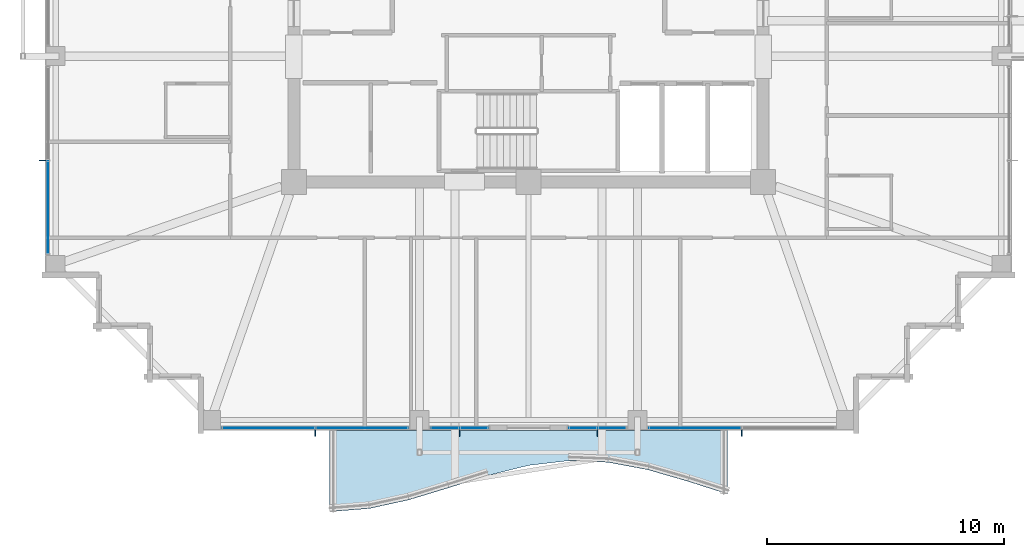
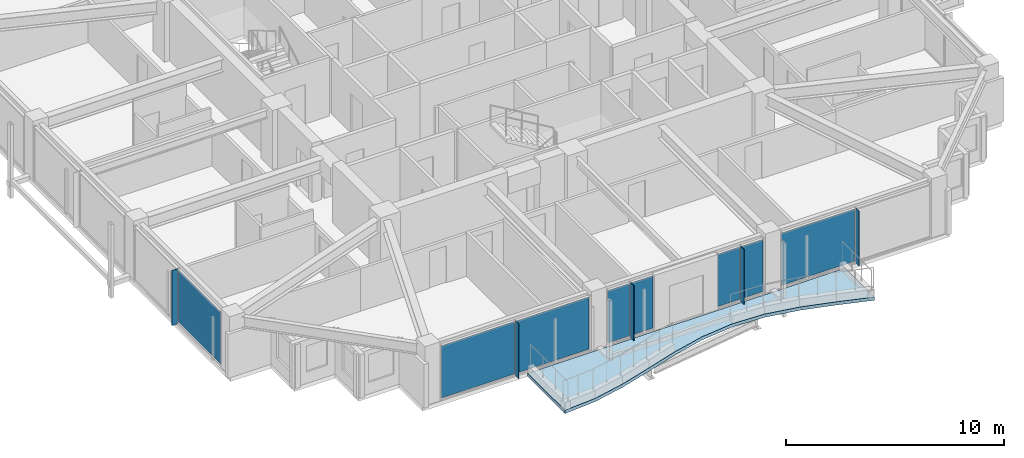
# One storey, part 26 of 38: 13 plates, 1 slab, 5 elements without a shape of their own.
"""IFC4 building model written with IfcOpenShell, lengths in metres."""

from ifc_helpers import new_model, si_unit, direction, frame, origin, origin_2d, place, context, subcontext, project, spatial, polyline, rectangle, outline, extrude, material, layer, layer_set, type_object, element, aggregate, save


model = new_model("IFC4")

# Units and contexts
model_context = context("Model", 3, precision=1e-05, world=origin(), true_north=direction((0.0, 1.0)))
body_context = subcontext(model_context, "Body", "Model", "MODEL_VIEW")
ifc_project = project(units=[si_unit("LENGTHUNIT", "METRE"), si_unit("AREAUNIT", "SQUARE_METRE"), si_unit("VOLUMEUNIT", "CUBIC_METRE"), si_unit("PLANEANGLEUNIT", "RADIAN"), si_unit("MASSUNIT", "GRAM", prefix="KILO")], contexts=[model_context])

# Site, building, storey
site_placement = place(None, origin())
site = spatial("IfcSite", under=ifc_project, at=site_placement, CompositionType="ELEMENT")
building_placement = place(site_placement, origin())
building = spatial("IfcBuilding", under=site, at=building_placement, Name="Kolvaren Belvedere", CompositionType="ELEMENT")
storey_placement = place(building_placement, frame((0.0, 0.0, 206.39990234375)))
storey = spatial("IfcBuildingStorey", under=building, at=storey_placement, Name="L60", CompositionType="ELEMENT", Elevation=206.39990234375)

# Curtain wall, plate
ifc_material_1 = material(Name="Anodised pale-metal aluminium AA 6063-T6", Category="aluminium")
curtain_wall_type = type_object("IfcCurtainWallType", Name="CW-Z5-HIGH", PredefinedType="NOTDEFINED", material=ifc_material_1)
curtain_wall_1_placement = place(storey_placement, origin())
curtain_wall_1 = element("IfcCurtainWall", 1, at=curtain_wall_1_placement, inside=storey, type_object=curtain_wall_type, Name="L60 Unitised Curtain Wall FCW-L60-S1-B1", PredefinedType="NOTDEFINED")
ifc_material_2 = material(Name="Low-iron triple insulated glass", Category="glass")
ifc_layer_1 = layer(ifc_material_2, 0.028076171875)
ifc_layer_set_1 = layer_set([ifc_layer_1], Name="Low-iron triple insulated glass")
plate_type_1 = type_object("IfcPlateType", Name="CW-PNL-VIS28", PredefinedType="CURTAIN_PANEL", material=ifc_layer_set_1)
plate_1_placement = place(storey_placement, frame((7.027587890625, -20.280029296875, 0.080078125), z_axis=(0.0, 0.0, 1.0), x_axis=(-1.0, 0.0, 0.0)))
plate_1 = element("IfcPlate", 2, at=plate_1_placement, type_object=plate_type_1, Name="FCW-L60-S1-B1 Vision Glazing Panel 2", PredefinedType="CURTAIN_PANEL", context=body_context, shape_type="SweptSolid", body=[
    extrude(rectangle(XDim=3.864990234375, YDim=0.028076171875, at=origin_2d()), origin(), (0.0, 0.0, 1.0), 2.919921875),
])
aggregate(curtain_wall_1, [plate_1])

# Curtain wall, plates
curtain_wall_2_placement = place(storey_placement, origin())
curtain_wall_2 = element("IfcCurtainWall", 3, at=curtain_wall_2_placement, inside=storey, type_object=curtain_wall_type, Name="L60 Unitised Curtain Wall FCW-L60-S1-B2", PredefinedType="NOTDEFINED")
plate_2_placement = place(storey_placement, frame((3.52880859375, -20.280029296875, 0.080078125), z_axis=(0.0, 0.0, 1.0), x_axis=(-1.0, 0.0, 0.0)))
plate_2 = element("IfcPlate", 4, at=plate_2_placement, type_object=plate_type_1, Name="FCW-L60-S1-B2 Vision Glazing Panel 1", PredefinedType="CURTAIN_PANEL", context=body_context, shape_type="SweptSolid", body=[
    extrude(rectangle(XDim=1.152587890625, YDim=0.028076171875, at=origin_2d()), origin(), (0.0, 0.0, 1.0), 2.919921875),
])
plate_3_placement = place(storey_placement, frame((2.296142578125, -20.280029296875, 0.080078125), z_axis=(0.0, 0.0, 1.0), x_axis=(-1.0, 0.0, 0.0)))
plate_3 = element("IfcPlate", 5, at=plate_3_placement, type_object=plate_type_1, Name="FCW-L60-S1-B2 Vision Glazing Panel 2", PredefinedType="CURTAIN_PANEL", context=body_context, shape_type="SweptSolid", body=[
    extrude(rectangle(XDim=1.152587890625, YDim=0.028076171875, at=origin_2d()), origin(), (0.0, 0.0, 1.0), 2.919921875),
])
aggregate(curtain_wall_2, [plate_2, plate_3])

curtain_wall_3_placement = place(storey_placement, origin())
curtain_wall_3 = element("IfcCurtainWall", 6, at=curtain_wall_3_placement, inside=storey, type_object=curtain_wall_type, Name="L60 Unitised Curtain Wall FCW-L60-S2-B1", PredefinedType="NOTDEFINED")
plate_4_placement = place(storey_placement, frame((-2.296142578125, -20.280029296875, 0.080078125), z_axis=(0.0, 0.0, 1.0), x_axis=(-1.0, 0.0, 0.0)))
plate_4 = element("IfcPlate", 7, at=plate_4_placement, type_object=plate_type_1, Name="FCW-L60-S2-B1 Vision Glazing Panel 1", PredefinedType="CURTAIN_PANEL", context=body_context, shape_type="SweptSolid", body=[
    extrude(rectangle(XDim=1.152587890625, YDim=0.028076171875, at=origin_2d()), origin(), (0.0, 0.0, 1.0), 2.919921875),
])
plate_5_placement = place(storey_placement, frame((-3.52880859375, -20.280029296875, 0.080078125), z_axis=(0.0, 0.0, 1.0), x_axis=(-1.0, 0.0, 0.0)))
plate_5 = element("IfcPlate", 8, at=plate_5_placement, type_object=plate_type_1, Name="FCW-L60-S2-B1 Vision Glazing Panel 2", PredefinedType="CURTAIN_PANEL", context=body_context, shape_type="SweptSolid", body=[
    extrude(rectangle(XDim=1.152587890625, YDim=0.028076171875, at=origin_2d()), origin(), (0.0, 0.0, 1.0), 2.919921875),
])
aggregate(curtain_wall_3, [plate_4, plate_5])

curtain_wall_4_placement = place(storey_placement, origin())
curtain_wall_4 = element("IfcCurtainWall", 9, at=curtain_wall_4_placement, inside=storey, type_object=curtain_wall_type, Name="L60 Unitised Curtain Wall FCW-L60-S2-B2", PredefinedType="NOTDEFINED")
plate_6_placement = place(storey_placement, frame((-7.027587890625, -20.280029296875, 0.080078125), z_axis=(0.0, 0.0, 1.0), x_axis=(-1.0, 0.0, 0.0)))
plate_6 = element("IfcPlate", 10, at=plate_6_placement, type_object=plate_type_1, Name="FCW-L60-S2-B2 Vision Glazing Panel 1", PredefinedType="CURTAIN_PANEL", context=body_context, shape_type="SweptSolid", body=[
    extrude(rectangle(XDim=3.864990234375, YDim=0.028076171875, at=origin_2d()), origin(), (0.0, 0.0, 1.0), 2.919921875),
])
plate_7_placement = place(storey_placement, frame((-10.972412109375, -20.280029296875, 0.080078125), z_axis=(0.0, 0.0, 1.0), x_axis=(-1.0, 0.0, 0.0)))
plate_7 = element("IfcPlate", 11, at=plate_7_placement, type_object=plate_type_1, Name="FCW-L60-S2-B2 Vision Glazing Panel 2", PredefinedType="CURTAIN_PANEL", context=body_context, shape_type="SweptSolid", body=[
    extrude(rectangle(XDim=3.864990234375, YDim=0.028076171875, at=origin_2d()), origin(), (0.0, 0.0, 1.0), 2.919921875),
])
aggregate(curtain_wall_4, [plate_6, plate_7])

# Curtain wall, plate
curtain_wall_5_placement = place(storey_placement, origin())
curtain_wall_5 = element("IfcCurtainWall", 12, at=curtain_wall_5_placement, inside=storey, type_object=curtain_wall_type, Name="L60 Unitised Curtain Wall FCW-L60-W-B1", PredefinedType="NOTDEFINED")
plate_8_placement = place(storey_placement, frame((-20.280029296875, -10.972412109375, 0.080078125), z_axis=(0.0, 0.0, 1.0), x_axis=(0.0, 1.0, 0.0)))
plate_8 = element("IfcPlate", 13, at=plate_8_placement, type_object=plate_type_1, Name="FCW-L60-W-B1 Vision Glazing Panel 1", PredefinedType="CURTAIN_PANEL", context=body_context, shape_type="SweptSolid", body=[
    extrude(rectangle(XDim=3.864990234375, YDim=0.028076171875, at=origin_2d()), origin(), (0.0, 0.0, 1.0), 2.919921875),
])
aggregate(curtain_wall_5, [plate_8])

# Plates
ifc_material_3 = material(Name="Anodised pale-metal aluminium AA 6063-T6", Category="aluminium")
ifc_layer_2 = layer(ifc_material_3, 0.030029296875)
ifc_layer_set_2 = layer_set([ifc_layer_2], Name="Anodised pale-metal aluminium AA 6063-T6")
plate_type_2 = type_object("IfcPlateType", Name="FIN-VERT-300", PredefinedType="USERDEFINED", material=ifc_layer_set_2)
for number, where, z_axis, x_axis, name in (
    (14, (9.0, -20.489990234375, 0.0), (0.0, 0.0, 1.0), (0.0, 1.0, 0.0), "L60 Pale-Metal Vertical Shading Fin FCW-L60-S1-B1-1"),
    (15, (2.91259765625, -20.489990234375, 0.0), (0.0, 0.0, 1.0), (0.0, 1.0, 0.0), "L60 Pale-Metal Vertical Shading Fin FCW-L60-S1-B2-1"),
    (16, (-2.91259765625, -20.489990234375, 0.0), (0.0, 0.0, 1.0), (0.0, 1.0, 0.0), "L60 Pale-Metal Vertical Shading Fin FCW-L60-S2-B1-1"),
    (17, (-9.0, -20.489990234375, 0.0), (0.0, 0.0, 1.0), (0.0, 1.0, 0.0), "L60 Pale-Metal Vertical Shading Fin FCW-L60-S2-B2-1"),
    (18, (-20.489990234375, -9.0, 0.0), (0.0, 0.0, 1.0), (1.0, 0.0, 0.0), "L60 Pale-Metal Vertical Shading Fin FCW-L60-W-B1-1"),
):
    element("IfcPlate", number, at=place(storey_placement, frame(where, z_axis=z_axis, x_axis=x_axis)), inside=storey, type_object=plate_type_2, Name=name, ObjectType="VERTICAL FIN", PredefinedType="USERDEFINED", context=body_context, shape_type="SweptSolid", body=[
        extrude(rectangle(XDim=0.300048828125, YDim=0.030029296875, at=origin_2d()), origin(), (0.0, 0.0, 1.0), 3.080078125),
    ])

# Slab
ifc_material_4 = material(Name="Concrete C50/60", Category="concrete")
ifc_layer_3 = layer(ifc_material_4, 0.179931640625)
ifc_layer_set_3 = layer_set([ifc_layer_3], Name="Concrete C50/60")
slab_type = type_object("IfcSlabType", Name="SL-BAL-180", PredefinedType="FLOOR", material=ifc_layer_set_3)
slab_placement = place(storey_placement, frame((0.0, 0.0, -0.219970703125)))
element("IfcSlab", 19, at=slab_placement, inside=storey, type_object=slab_type, Name="L60 Planted Balcony BAL-S", PredefinedType="FLOOR", context=body_context, shape_type="SweptSolid", body=[
    extrude(outline(polyline([(-8.39990234375, -23.820068359375), (-6.719970703125, -23.686279296875), (-5.0400390625, -23.318603515625), (-3.360107421875, -22.807861328125), (-1.679931640625, -22.2802734375), (0.0, -21.8662109375), (1.679931640625, -21.66845703125), (3.360107421875, -21.73583984375), (5.0400390625, -22.051513671875), (6.719970703125, -22.53759765625), (8.39990234375, -23.07373046875), (8.39990234375, -20.39990234375), (6.719970703125, -20.39990234375), (5.0400390625, -20.39990234375), (3.360107421875, -20.39990234375), (1.679931640625, -20.39990234375), (0.0, -20.39990234375), (-1.679931640625, -20.39990234375), (-3.360107421875, -20.39990234375), (-5.0400390625, -20.39990234375), (-6.719970703125, -20.39990234375), (-8.39990234375, -20.39990234375), (-8.39990234375, -23.820068359375)])), origin(), (0.0, 0.0, 1.0), 0.18017578125),
])

save(model, "model.ifc")
